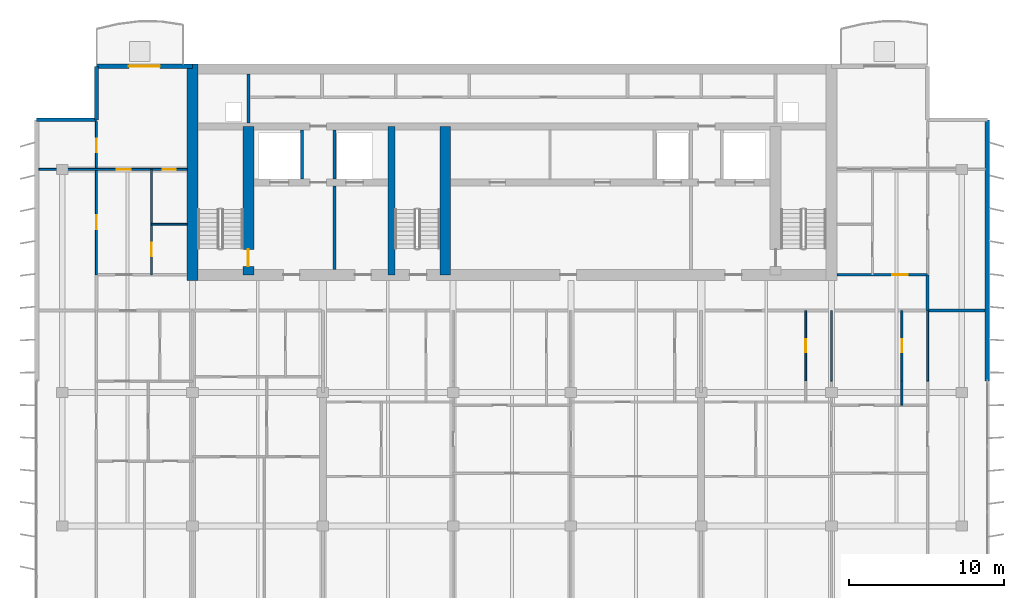
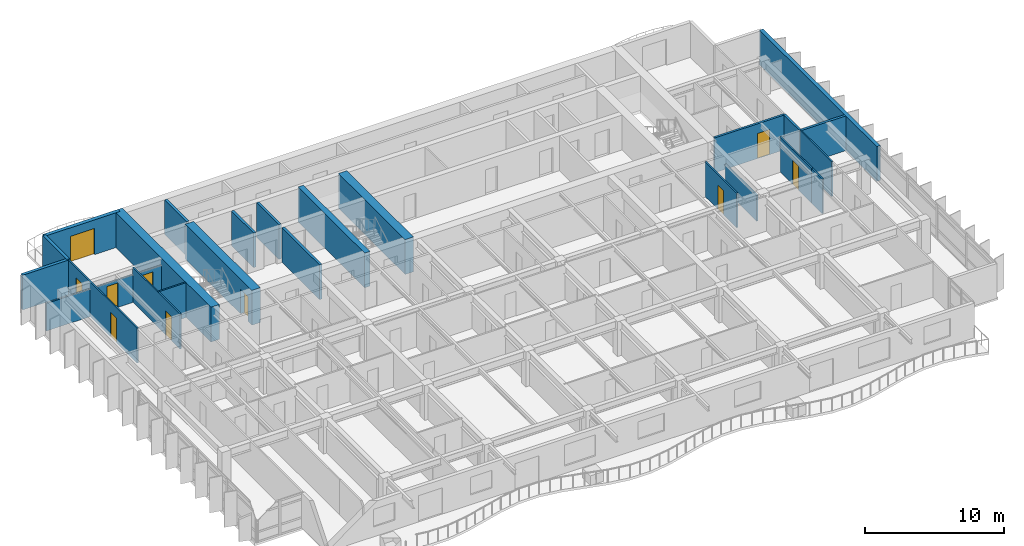
# One storey, part 9 of 16: 24 walls, 10 doors, 10 openings.
"""IFC4 building model written with IfcOpenShell, lengths in metres."""

import ifcopenshell
import ifcopenshell.guid

model = None  # the IFC model being written
_history = None  # IfcOwnerHistory: only IFC2X3 demands one
_inside = {}  # id of a spatial element -> (the spatial element, [elements in it])
_under = {}  # id of a project, library or spatial element -> (it, [spatial elements below it])
_declared = {}  # id of a project -> (the project, [libraries it declares])
_typed = {}  # id of a type object -> (the type object, [elements of that type])
_made_of = {}  # id of a material, layer set ... -> (it, [elements and type objects made of it])


def new_model(schema):
    """Start an empty IFC model of exactly this schema.

    Asked for "IFC4X3", IfcOpenShell would pick the latest addendum, in which some entities
    have other attributes; the version numbers below select the first issue.
    IFC2X3 requires an IfcOwnerHistory on every rooted entity: one is made here for all.
    """
    global model, _history
    if schema == "IFC4X3":
        model = ifcopenshell.file(schema_version=(4, 3, 0, 0))
    else:
        model = ifcopenshell.file(schema=schema)
    _inside.clear()
    _under.clear()
    _declared.clear()
    _typed.clear()
    _made_of.clear()
    _history = None
    if model.schema == "IFC2X3":
        org = make("IfcOrganization", Name="unknown")
        user = make(
            "IfcPersonAndOrganization",
            ThePerson=make("IfcPerson", FamilyName="unknown"),
            TheOrganization=org,
        )
        app = make(
            "IfcApplication",
            ApplicationDeveloper=org,
            Version="unknown",
            ApplicationFullName="unknown",
            ApplicationIdentifier="unknown",
        )
        _history = make(
            "IfcOwnerHistory",
            OwningUser=user,
            OwningApplication=app,
            ChangeAction="ADDED",
            CreationDate=0,
        )
    return model


def make(cls, **values):
    """One entity of the class cls with the attributes given. An attribute that is None is left unset."""
    return model.create_entity(
        cls, **{name: value for name, value in values.items() if value is not None}
    )


def rooted(cls, **values):
    """An entity with a GlobalId (a new one), such as an element, a storey or a relation."""
    return make(cls, GlobalId=ifcopenshell.guid.new(), OwnerHistory=_history, **values)


def si_unit(unit_type, name, prefix=None):
    """IfcSIUnit, for example si_unit("LENGTHUNIT", "METRE", prefix="MILLI")."""
    return make("IfcSIUnit", UnitType=unit_type, Prefix=prefix, Name=name)


def assignment(units):
    """IfcUnitAssignment: the units of a project."""
    return None if units is None else make("IfcUnitAssignment", Units=units)


def point(xyz):
    """IfcCartesianPoint."""
    return None if xyz is None else make("IfcCartesianPoint", Coordinates=xyz)


def direction(xyz):
    """IfcDirection."""
    return None if xyz is None else make("IfcDirection", DirectionRatios=xyz)


def frame(location, z_axis=None, x_axis=None):
    """IfcAxis2Placement3D, a coordinate frame: its origin and axes. An axis left out is left unset."""
    return make(
        "IfcAxis2Placement3D",
        Location=point(location),
        Axis=direction(z_axis),
        RefDirection=direction(x_axis),
    )


def frame_2d(location, x_axis=None):
    """IfcAxis2Placement2D, a coordinate frame in the plane: its origin and x axis."""
    return make(
        "IfcAxis2Placement2D", Location=point(location), RefDirection=direction(x_axis)
    )


def origin():
    """The frame at (0, 0, 0) with its axes left unset."""
    return frame((0.0, 0.0, 0.0))


def place(relative_to, where):
    """IfcLocalPlacement: puts the frame where relative to a parent placement (None: the world)."""
    return make(
        "IfcLocalPlacement", PlacementRelTo=relative_to, RelativePlacement=where
    )


def context(
    kind, dimensions, precision=None, world=None, true_north=None, identifier=None
):
    """IfcGeometricRepresentationContext, for example the 3D "Model" context."""
    return make(
        "IfcGeometricRepresentationContext",
        ContextIdentifier=identifier,
        ContextType=kind,
        CoordinateSpaceDimension=dimensions,
        Precision=precision,
        WorldCoordinateSystem=world,
        TrueNorth=true_north,
    )


def subcontext(parent, identifier, kind, view, scale=None):
    """IfcGeometricRepresentationSubContext, for example "Body" below "Model"."""
    return make(
        "IfcGeometricRepresentationSubContext",
        ContextIdentifier=identifier,
        ContextType=kind,
        ParentContext=parent,
        TargetScale=scale,
        TargetView=view,
    )


def project(units=None, contexts=None):
    """IfcProject with its units and contexts."""
    return rooted(
        "IfcProject",
        Name="project",
        RepresentationContexts=contexts,
        UnitsInContext=assignment(units),
    )


def spatial(cls, under=None, at=None, **own):
    """A site, building, storey or space (cls), placed at a placement, below another one or the project."""
    s = rooted(cls, ObjectPlacement=at, **own)
    if under is not None:
        _under.setdefault(under.id(), (under, []))[1].append(s)
    return s


def profile(cls, at=None, kind="AREA", **sizes):
    """A parametric profile (cls). Its sizes go by their IFC names, for example OverallWidth=200.0."""
    return make(cls, ProfileType=kind, Position=at, **sizes)


def rectangle(**sizes):
    """IfcRectangleProfileDef."""
    return profile("IfcRectangleProfileDef", **sizes)


def extrude(swept, where, along, depth):
    """IfcExtrudedAreaSolid: the profile swept, set in the frame where, extruded along a direction by depth."""
    return make(
        "IfcExtrudedAreaSolid",
        SweptArea=swept,
        Position=where,
        ExtrudedDirection=direction(along),
        Depth=depth,
    )


def shape(context_of_items, identifier, shape_type, items):
    """IfcShapeRepresentation: the items that make up one representation, for example the "Body"."""
    return make(
        "IfcShapeRepresentation",
        ContextOfItems=context_of_items,
        RepresentationIdentifier=identifier,
        RepresentationType=shape_type,
        Items=items,
    )


def material(Name=None, Category=None):
    """IfcMaterial."""
    return make("IfcMaterial", Name=Name, Category=Category)


def layer(
    of_material, thickness, ventilated=None, Name=None, Category=None, Priority=None
):
    """IfcMaterialLayer: one layer of a wall or slab, of a material (None: an air gap)."""
    return make(
        "IfcMaterialLayer",
        Material=of_material,
        LayerThickness=thickness,
        IsVentilated=ventilated,
        Name=Name,
        Category=Category,
        Priority=Priority,
    )


def layer_set(layers, Name=None):
    """IfcMaterialLayerSet."""
    return make("IfcMaterialLayerSet", MaterialLayers=layers, LayerSetName=Name)


def made_of(thing, what):
    """Note that an element or type object is made of a material, layer set ...; save() writes the relation."""
    if what is not None:
        _made_of.setdefault(what.id(), (what, []))[1].append(thing)
    return thing


def type_object(cls, material=None, **own):
    """A type object (cls), such as IfcWallType, which elements share."""
    return made_of(rooted(cls, **own), material)


def element(
    cls,
    number,
    at=None,
    inside=None,
    cuts=None,
    type_object=None,
    material=None,
    context=None,
    identifier="Body",
    shape_type=None,
    held_by="IfcProductDefinitionShape",
    body=None,
    shapes=None,
    **own,
):
    """One element of the class cls, such as IfcWall. Its Tag is "e" and its number.

    at: its placement. inside: the storey or other place that contains it. cuts: it is an
    opening in that element (IfcRelVoidsElement). A single representation is given by context,
    identifier, shape_type and body (its items); several are given by shapes. held_by: the class
    of the entity that holds the representations. save() writes the other relations.
    """
    e = rooted(cls, Tag="e%d" % number, ObjectPlacement=at, **own)
    if body is not None:
        shapes = [shape(context, identifier, shape_type, body)]
    if shapes is not None:
        e.Representation = make(held_by, Representations=shapes)
    if inside is not None:
        _inside.setdefault(inside.id(), (inside, []))[1].append(e)
    if cuts is not None:
        rooted(
            "IfcRelVoidsElement", RelatingBuildingElement=cuts, RelatedOpeningElement=e
        )
    if type_object is not None:
        _typed.setdefault(type_object.id(), (type_object, []))[1].append(e)
    return made_of(e, material)


def fill(opening, filler):
    """IfcRelFillsElement: the door or window that sits in an opening."""
    return rooted(
        "IfcRelFillsElement",
        RelatingOpeningElement=opening,
        RelatedBuildingElement=filler,
    )


def aggregate(whole, parts):
    """IfcRelAggregates: a whole, such as a stair, and the parts it consists of."""
    return rooted("IfcRelAggregates", RelatingObject=whole, RelatedObjects=parts)


def save(model, path):
    """Write the relations noted so far, then the file.

    IfcRelAggregates (storeys below a building ...), IfcRelContainedInSpatialStructure (elements
    in a storey), IfcRelDefinesByType, IfcRelAssociatesMaterial and IfcRelDeclares: one each for
    every whole, place, type object, material and project.
    """
    for whole, parts in _under.values():
        aggregate(whole, parts)
    for where, things in _inside.values():
        rooted(
            "IfcRelContainedInSpatialStructure",
            RelatedElements=things,
            RelatingStructure=where,
        )
    for kind, things in _typed.values():
        rooted("IfcRelDefinesByType", RelatedObjects=things, RelatingType=kind)
    for what, things in _made_of.values():
        rooted("IfcRelAssociatesMaterial", RelatedObjects=things, RelatingMaterial=what)
    for by, libraries in _declared.values():
        rooted("IfcRelDeclares", RelatingContext=by, RelatedDefinitions=libraries)
    model.write(path)


model = new_model("IFC4")

# Units and contexts
model_context = context("Model", 3, precision=1e-05, world=origin(), true_north=direction((0.0, 1.0)))
body_context = subcontext(model_context, "Body", "Model", "MODEL_VIEW")
ifc_project = project(units=[si_unit("LENGTHUNIT", "METRE"), si_unit("AREAUNIT", "SQUARE_METRE"), si_unit("VOLUMEUNIT", "CUBIC_METRE"), si_unit("PLANEANGLEUNIT", "RADIAN"), si_unit("MASSUNIT", "GRAM", prefix="KILO")], contexts=[model_context])

# Site, building, storey
site_placement = place(None, origin())
site = spatial("IfcSite", under=ifc_project, at=site_placement, CompositionType="ELEMENT")
building_placement = place(site_placement, origin())
building = spatial("IfcBuilding", under=site, at=building_placement, Name="Caelmar Bay Residences", CompositionType="ELEMENT")
storey_placement = place(building_placement, frame((0.0, 0.0, 252.89990234375)))
storey = spatial("IfcBuildingStorey", under=building, at=storey_placement, Name="L71", CompositionType="ELEMENT", Elevation=252.89990234375)

# Wall
ifc_material_1 = material(Name="Concrete f'c 55 MPa (8,000 psi)", Category="concrete")
ifc_layer_1 = layer(ifc_material_1, 0.699951171875)
ifc_layer_set_1 = layer_set([ifc_layer_1], Name="Concrete f'c 55 MPa (8,000 psi)")
wall_type_1 = type_object("IfcWallType", Name="SW-COR-700", PredefinedType="SHEAR", material=ifc_layer_set_1)
wall_1_placement = place(storey_placement, frame((18.300048828125, 36.64990234375, 0.0), z_axis=(0.0, 0.0, 1.0), x_axis=(0.0, 1.0, 0.0)))
element("IfcWall", 1, at=wall_1_placement, inside=storey, type_object=wall_type_1, Name="L71 Rear Core West Shear Wall", PredefinedType="SHEAR", context=body_context, shape_type="SweptSolid", body=[
    extrude(rectangle(XDim=13.9501953125, YDim=0.699951171875, at=frame_2d((6.97509765625, 0.0))), origin(), (0.0, 0.0, 1.0), 3.050048828125),
])

# Wall, opening, door
wall_2_placement = place(storey_placement, frame((21.89990234375, 37.0, 0.0), z_axis=(0.0, 0.0, 1.0), x_axis=(0.0, 1.0, 0.0)))
wall_2 = element("IfcWall", 2, at=wall_2_placement, inside=storey, type_object=wall_type_1, Name="L71 Core Structural Web Wall ST1E", PredefinedType="SHEAR", context=body_context, shape_type="SweptSolid", body=[
    extrude(rectangle(XDim=9.574951171875, YDim=0.699951171875, at=frame_2d((4.78759765625, 0.0))), origin(), (0.0, 0.0, 1.0), 3.050048828125),
])
opening_1_placement = place(wall_2_placement, frame((0.550048828125, 0.0, 0.0)))
opening_1 = element("IfcOpeningElement", 3, at=opening_1_placement, cuts=wall_2, Name="Opening D-L71-107", PredefinedType="OPENING", context=body_context, shape_type="SweptSolid", body=[
    extrude(rectangle(XDim=1.10009765625, YDim=2.14990234375, at=frame_2d((0.550048828125, 1.074951171875))), frame((0.0, 0.35986328125, 0.0), z_axis=(0.0, -1.0, 0.0), x_axis=(1.0, 0.0, 0.0)), (0.0, 0.0, 1.0), 0.719970703125),
])
ifc_material_2 = material(Name="Fire-rated steel and walnut architectural door assembly", Category="steel")
ifc_layer_2 = layer(ifc_material_2, 0.050048828125)
ifc_layer_set_2 = layer_set([ifc_layer_2], Name="Fire-rated steel and walnut architectural door assembly")
door_type_1 = type_object("IfcDoorType", Name="D-STAIR-1100", OperationType="NOTDEFINED", PredefinedType="DOOR", material=ifc_layer_set_2)
door_1_placement = place(opening_1_placement, origin())
door_1 = element("IfcDoor", 4, at=door_1_placement, inside=storey, type_object=door_type_1, Name="L71 Firefighting Lobby West Door", OperationType="SINGLE_SWING_RIGHT", OverallHeight=2.14990234375, OverallWidth=1.10009765625, PredefinedType="DOOR", context=body_context, shape_type="SweptSolid", body=[
    extrude(rectangle(XDim=1.10009765625, YDim=2.14990234375, at=frame_2d((0.550048828125, 1.074951171875))), frame((0.0, 0.02490234375, 0.0), z_axis=(0.0, -1.0, 0.0), x_axis=(1.0, 0.0, 0.0)), (0.0, 0.0, 1.0), 0.050048828125),
])
fill(opening_1, door_1)

# Walls
wall_3_placement = place(storey_placement, frame((34.60009765625, 37.0, 0.0), z_axis=(0.0, 0.0, 1.0), x_axis=(0.0, 1.0, 0.0)))
element("IfcWall", 5, at=wall_3_placement, inside=storey, type_object=wall_type_1, Name="L71 Core Structural Web Wall ST3E", PredefinedType="SHEAR", context=body_context, shape_type="SweptSolid", body=[
    extrude(rectangle(XDim=9.574951171875, YDim=0.699951171875, at=frame_2d((4.78759765625, 0.0))), origin(), (0.0, 0.0, 1.0), 3.050048828125),
])
ifc_material_3 = material(Name="Concrete f'c 70 MPa (10,000 psi)", Category="concrete")
ifc_layer_3 = layer(ifc_material_3, 0.449951171875)
ifc_layer_set_3 = layer_set([ifc_layer_3], Name="Concrete f'c 70 MPa (10,000 psi)")
wall_type_2 = type_object("IfcWallType", Name="SW-WEB-450", PredefinedType="SHEAR", material=ifc_layer_set_3)
wall_4_placement = place(storey_placement, frame((31.125, 37.0, 0.0), z_axis=(0.0, 0.0, 1.0), x_axis=(0.0, 1.0, 0.0)))
element("IfcWall", 6, at=wall_4_placement, inside=storey, type_object=wall_type_2, Name="L71 Core Structural Web Wall ST3W", PredefinedType="SHEAR", context=body_context, shape_type="SweptSolid", body=[
    extrude(rectangle(XDim=9.574951171875, YDim=0.449951171875, at=frame_2d((4.78759765625, 0.0))), origin(), (0.0, 0.0, 1.0), 3.050048828125),
])
ifc_material_4 = material(Name="Double-stud acoustic fire-rated gypsum partition 180 mm")
ifc_layer_4 = layer(ifc_material_4, 0.179931640625)
ifc_layer_set_4 = layer_set([ifc_layer_4], Name="Double-stud acoustic fire-rated gypsum partition 180 mm")
wall_type_3 = type_object("IfcWallType", Name="W-COR-200", PredefinedType="PARTITIONING", material=ifc_layer_set_4)
wall_5_placement = place(storey_placement, frame((65.699951171875, 34.705078125, 0.0), z_axis=(0.0, 0.0, 1.0), x_axis=(0.0, 1.0, 0.0)))
element("IfcWall", 7, at=wall_5_placement, inside=storey, type_object=wall_type_3, Name="L71 Partition Wall V065", PredefinedType="PARTITIONING", context=body_context, shape_type="SweptSolid", body=[
    extrude(rectangle(XDim=2.294921875, YDim=0.179931640625, at=frame_2d((1.1474609375, 0.0))), origin(), (0.0, 0.0, 1.0), 3.050048828125),
])

# Wall, opening, door
wall_6_placement = place(storey_placement, frame((59.85498046875, 37.0, 0.0), z_axis=(0.0, 0.0, 1.0), x_axis=(1.0, 0.0, 0.0)))
wall_6 = element("IfcWall", 8, at=wall_6_placement, inside=storey, type_object=wall_type_3, Name="L71 Partition Wall H089", PredefinedType="PARTITIONING", context=body_context, shape_type="SweptSolid", body=[
    extrude(rectangle(XDim=5.844970703125, YDim=0.179931640625, at=frame_2d((2.92236328125, 0.0))), origin(), (0.0, 0.0, 1.0), 3.050048828125),
])
opening_2_placement = place(wall_6_placement, frame((3.570068359375, 0.0, 0.0)))
opening_2 = element("IfcOpeningElement", 9, at=opening_2_placement, cuts=wall_6, Name="Opening D-L71-170", PredefinedType="OPENING", context=body_context, shape_type="SweptSolid", body=[
    extrude(rectangle(XDim=1.0, YDim=2.199951171875, at=frame_2d((0.5, 1.10009765625))), frame((0.0, 0.099853515625, 0.0), z_axis=(0.0, -1.0, 0.0), x_axis=(1.0, 0.0, 0.0)), (0.0, 0.0, 1.0), 0.199951171875),
])
ifc_layer_5 = layer(ifc_material_2, 0.050048828125)
ifc_layer_set_5 = layer_set([ifc_layer_5], Name="Fire-rated steel and walnut architectural door assembly")
door_type_2 = type_object("IfcDoorType", Name="D-UNIT-1000", OperationType="NOTDEFINED", PredefinedType="DOOR", material=ifc_layer_set_5)
door_2_placement = place(opening_2_placement, origin())
door_2 = element("IfcDoor", 10, at=door_2_placement, inside=storey, type_object=door_type_2, Name="L71 Residence EA Kitchen Door", OperationType="SINGLE_SWING_LEFT", OverallHeight=2.199951171875, OverallWidth=1.0, PredefinedType="DOOR", context=body_context, shape_type="SweptSolid", body=[
    extrude(rectangle(XDim=1.0, YDim=2.199951171875, at=frame_2d((0.5, 1.10009765625))), frame((0.0, 0.02490234375, 0.0), z_axis=(0.0, -1.0, 0.0), x_axis=(1.0, 0.0, 0.0)), (0.0, 0.0, 1.0), 0.050048828125),
])
fill(opening_2, door_2)

# Walls
ifc_material_5 = material(Name="Precast concrete f'c 40 MPa (6,000 psi)", Category="concrete")
ifc_layer_6 = layer(ifc_material_5, 0.25)
ifc_layer_set_6 = layer_set([ifc_layer_6], Name="Precast concrete f'c 40 MPa (6,000 psi)")
wall_type_4 = type_object("IfcWallType", Name="W-EXT-250", PredefinedType="ELEMENTEDWALL", material=ifc_layer_set_6)
wall_7_placement = place(storey_placement, frame((8.25, 47.0, 0.0), z_axis=(0.0, 0.0, 1.0), x_axis=(1.0, 0.0, 0.0)))
element("IfcWall", 11, at=wall_7_placement, inside=storey, type_object=wall_type_4, Name="L71 NNW-H Notch Wall", PredefinedType="ELEMENTEDWALL", context=body_context, shape_type="SweptSolid", body=[
    extrude(rectangle(XDim=3.85009765625, YDim=0.25, at=frame_2d((1.925048828125, 0.0))), origin(), (0.0, 0.0, 1.0), 3.050048828125),
])
wall_8_placement = place(storey_placement, frame((12.10009765625, 47.0, 0.0), z_axis=(0.0, 0.0, 1.0), x_axis=(0.0, 1.0, 0.0)))
element("IfcWall", 12, at=wall_8_placement, inside=storey, type_object=wall_type_4, Name="L71 NNW-V Notch Wall", PredefinedType="ELEMENTEDWALL", context=body_context, shape_type="SweptSolid", body=[
    extrude(rectangle(XDim=3.449951171875, YDim=0.25, at=frame_2d((1.72509765625, 0.0))), origin(), (0.0, 0.0, 1.0), 3.050048828125),
])
ifc_layer_7 = layer(ifc_material_5, 0.300048828125)
ifc_layer_set_7 = layer_set([ifc_layer_7], Name="Precast concrete f'c 40 MPa (6,000 psi)")
wall_type_5 = type_object("IfcWallType", Name="W-EXT-300", PredefinedType="STANDARD", material=ifc_layer_set_7)
wall_9_placement = place(storey_placement, frame((69.550048828125, 47.0, 0.0), z_axis=(0.0, 0.0, 1.0), x_axis=(0.0, -1.0, 0.0)))
element("IfcWall", 13, at=wall_9_placement, inside=storey, type_object=wall_type_5, Name="L71 East Rear Exterior Wall", PredefinedType="STANDARD", context=body_context, shape_type="SweptSolid", body=[
    extrude(rectangle(XDim=16.85009765625, YDim=0.300048828125, at=frame_2d((8.425048828125, 0.0))), origin(), (0.0, 0.0, 1.0), 3.050048828125),
])

# Wall, opening, door
wall_10_placement = place(storey_placement, frame((12.10009765625, 50.449951171875, 0.0), z_axis=(0.0, 0.0, 1.0), x_axis=(1.0, 0.0, 0.0)))
wall_10 = element("IfcWall", 14, at=wall_10_placement, inside=storey, type_object=wall_type_5, Name="L71 North-West Wing Exterior Wall", PredefinedType="STANDARD", context=body_context, shape_type="SweptSolid", body=[
    extrude(rectangle(XDim=6.199951171875, YDim=0.300048828125, at=frame_2d((3.10009765625, 0.0))), origin(), (0.0, 0.0, 1.0), 3.050048828125),
])
opening_3_placement = place(wall_10_placement, frame((2.10009765625, 0.0, 0.0)))
opening_3 = element("IfcOpeningElement", 15, at=opening_3_placement, cuts=wall_10, Name="Opening L71-BDNW", PredefinedType="OPENING", context=body_context, shape_type="SweptSolid", body=[
    extrude(rectangle(XDim=2.0, YDim=2.300048828125, at=frame_2d((1.0, 1.14990234375))), frame((0.0, 0.159912109375, 0.0), z_axis=(0.0, -1.0, 0.0), x_axis=(1.0, 0.0, 0.0)), (0.0, 0.0, 1.0), 0.320068359375),
])
ifc_material_6 = material(Name="Anodised bronze thermally broken sliding glass door", Category="glass")
ifc_layer_8 = layer(ifc_material_6, 0.050048828125)
ifc_layer_set_8 = layer_set([ifc_layer_8], Name="Anodised bronze thermally broken sliding glass door")
door_type_3 = type_object("IfcDoorType", Name="D-BAL-2000", OperationType="DOUBLE_DOOR_SLIDING", PredefinedType="DOOR", material=ifc_layer_set_8)
door_3_placement = place(opening_3_placement, origin())
door_3 = element("IfcDoor", 16, at=door_3_placement, inside=storey, type_object=door_type_3, Name="L71 North-West Balcony Door", OperationType="DOUBLE_DOOR_SLIDING", OverallHeight=2.300048828125, OverallWidth=2.0, PredefinedType="DOOR", context=body_context, shape_type="SweptSolid", body=[
    extrude(rectangle(XDim=2.0, YDim=2.300048828125, at=frame_2d((1.0, 1.14990234375))), frame((0.0, 0.02490234375, 0.0), z_axis=(0.0, -1.0, 0.0), x_axis=(1.0, 0.0, 0.0)), (0.0, 0.0, 1.0), 0.050048828125),
])
fill(opening_3, door_3)

# Walls
ifc_material_7 = material(Name="Fire-rated masonry and gypsum shaftliner assembly 200 mm", Category="masonry")
ifc_layer_9 = layer(ifc_material_7, 0.199951171875)
ifc_layer_set_9 = layer_set([ifc_layer_9], Name="Fire-rated masonry and gypsum shaftliner assembly 200 mm")
wall_type_6 = type_object("IfcWallType", Name="W-FSAE-200", PredefinedType="PARTITIONING", material=ifc_layer_set_9)
wall_11_placement = place(storey_placement, frame((21.89990234375, 46.794921875, 0.0), z_axis=(0.0, 0.0, 1.0), x_axis=(0.0, 1.0, 0.0)))
element("IfcWall", 17, at=wall_11_placement, inside=storey, type_object=wall_type_6, Name="L71 Partition Wall V013", PredefinedType="PARTITIONING", context=body_context, shape_type="SweptSolid", body=[
    extrude(rectangle(XDim=3.16015625, YDim=0.199951171875, at=frame_2d((1.580078125, 0.0))), origin(), (0.0, 0.0, 1.0), 3.050048828125),
])
wall_12_placement = place(storey_placement, frame((25.35009765625, 43.169921875, 0.0), z_axis=(0.0, 0.0, 1.0), x_axis=(0.0, 1.0, 0.0)))
element("IfcWall", 18, at=wall_12_placement, inside=storey, type_object=wall_type_6, Name="L71 Partition Wall V019", PredefinedType="PARTITIONING", context=body_context, shape_type="SweptSolid", body=[
    extrude(rectangle(XDim=3.18505859375, YDim=0.199951171875, at=frame_2d((1.592529296875, 0.0))), origin(), (0.0, 0.0, 1.0), 3.050048828125),
])
wall_13_placement = place(storey_placement, frame((27.449951171875, 37.344970703125, 0.0), z_axis=(0.0, 0.0, 1.0), x_axis=(0.0, 1.0, 0.0)))
element("IfcWall", 19, at=wall_13_placement, inside=storey, type_object=wall_type_6, Name="L71 Partition Wall V025", PredefinedType="PARTITIONING", context=body_context, shape_type="SweptSolid", body=[
    extrude(rectangle(XDim=5.385009765625, YDim=0.199951171875, at=frame_2d((2.6923828125, 0.0))), origin(), (0.0, 0.0, 1.0), 3.050048828125),
])
wall_14_placement = place(storey_placement, frame((27.449951171875, 43.169921875, 0.0), z_axis=(0.0, 0.0, 1.0), x_axis=(0.0, 1.0, 0.0)))
element("IfcWall", 20, at=wall_14_placement, inside=storey, type_object=wall_type_6, Name="L71 Partition Wall V026", PredefinedType="PARTITIONING", context=body_context, shape_type="SweptSolid", body=[
    extrude(rectangle(XDim=3.18505859375, YDim=0.199951171875, at=frame_2d((1.592529296875, 0.0))), origin(), (0.0, 0.0, 1.0), 3.050048828125),
])

# Wall, openings, doors
ifc_material_8 = material(Name="Acoustic metal-stud gypsum partition 120 mm")
ifc_layer_10 = layer(ifc_material_8, 0.1201171875)
ifc_layer_set_10 = layer_set([ifc_layer_10], Name="Acoustic metal-stud gypsum partition 120 mm")
wall_type_7 = type_object("IfcWallType", Name="W-PRT-120", PredefinedType="PARTITIONING", material=ifc_layer_set_10)
wall_15_placement = place(storey_placement, frame((12.10009765625, 37.0048828125, 0.0), z_axis=(0.0, 0.0, 1.0), x_axis=(0.0, 1.0, 0.0)))
wall_15 = element("IfcWall", 21, at=wall_15_placement, inside=storey, type_object=wall_type_7, Name="L71 Partition Wall V004", PredefinedType="PARTITIONING", context=body_context, shape_type="SweptSolid", body=[
    extrude(rectangle(XDim=9.875, YDim=0.1201171875, at=frame_2d((4.9375, 0.0))), origin(), (0.0, 0.0, 1.0), 3.050048828125),
])
opening_4_placement = place(wall_15_placement, frame((2.947509765625, 0.0, 0.0)))
opening_4 = element("IfcOpeningElement", 22, at=opening_4_placement, cuts=wall_15, Name="Opening D-L71-168", PredefinedType="OPENING", context=body_context, shape_type="SweptSolid", body=[
    extrude(rectangle(XDim=0.89990234375, YDim=2.14990234375, at=frame_2d((0.449951171875, 1.074951171875))), frame((0.0, 0.070068359375, 0.0), z_axis=(0.0, -1.0, 0.0), x_axis=(1.0, 0.0, 0.0)), (0.0, 0.0, 1.0), 0.14013671875),
])
opening_5_placement = place(wall_15_placement, frame((7.885009765625, 0.0, 0.0)))
opening_5 = element("IfcOpeningElement", 23, at=opening_5_placement, cuts=wall_15, Name="Opening D-L71-169", PredefinedType="OPENING", context=body_context, shape_type="SweptSolid", body=[
    extrude(rectangle(XDim=0.89990234375, YDim=2.14990234375, at=frame_2d((0.449951171875, 1.074951171875))), frame((0.0, 0.070068359375, 0.0), z_axis=(0.0, -1.0, 0.0), x_axis=(1.0, 0.0, 0.0)), (0.0, 0.0, 1.0), 0.14013671875),
])
ifc_material_9 = material(Name="Solid walnut timber interior door leaf and frame", Category="wood")
ifc_layer_11 = layer(ifc_material_9, 0.050048828125)
ifc_layer_set_11 = layer_set([ifc_layer_11], Name="Solid walnut timber interior door leaf and frame")
door_type_4 = type_object("IfcDoorType", Name="D-ROOM-900", OperationType="NOTDEFINED", PredefinedType="DOOR", material=ifc_layer_set_11)
door_4_placement = place(opening_4_placement, origin())
door_4 = element("IfcDoor", 24, at=door_4_placement, inside=storey, type_object=door_type_4, Name="L71 Residence WA Sun Study Door", OperationType="SINGLE_SWING_LEFT", OverallHeight=2.14990234375, OverallWidth=0.89990234375, PredefinedType="DOOR", context=body_context, shape_type="SweptSolid", body=[
    extrude(rectangle(XDim=0.89990234375, YDim=2.14990234375, at=frame_2d((0.449951171875, 1.074951171875))), frame((0.0, 0.02490234375, 0.0), z_axis=(0.0, -1.0, 0.0), x_axis=(1.0, 0.0, 0.0)), (0.0, 0.0, 1.0), 0.050048828125),
])
fill(opening_4, door_4)
door_5_placement = place(opening_5_placement, origin())
door_5 = element("IfcDoor", 25, at=door_5_placement, inside=storey, type_object=door_type_4, Name="L71 Residence WA North Sitting Alcove Door", OperationType="SINGLE_SWING_RIGHT", OverallHeight=2.14990234375, OverallWidth=0.89990234375, PredefinedType="DOOR", context=body_context, shape_type="SweptSolid", body=[
    extrude(rectangle(XDim=0.89990234375, YDim=2.14990234375, at=frame_2d((0.449951171875, 1.074951171875))), frame((0.0, 0.02490234375, 0.0), z_axis=(0.0, -1.0, 0.0), x_axis=(1.0, 0.0, 0.0)), (0.0, 0.0, 1.0), 0.050048828125),
])
fill(opening_5, door_5)

# Wall, opening, door
wall_16_placement = place(storey_placement, frame((15.64990234375, 37.0, 0.0), z_axis=(0.0, 0.0, 1.0), x_axis=(0.0, 1.0, 0.0)))
wall_16 = element("IfcWall", 26, at=wall_16_placement, inside=storey, type_object=wall_type_7, Name="L71 Partition Wall V008", PredefinedType="PARTITIONING", context=body_context, shape_type="SweptSolid", body=[
    extrude(rectangle(XDim=6.800048828125, YDim=0.1201171875, at=frame_2d((3.39990234375, 0.0))), origin(), (0.0, 0.0, 1.0), 3.050048828125),
])
opening_6_placement = place(wall_16_placement, frame((1.20703125, 0.0, 0.0)))
opening_6 = element("IfcOpeningElement", 27, at=opening_6_placement, cuts=wall_16, Name="Opening D-L71-166", PredefinedType="OPENING", context=body_context, shape_type="SweptSolid", body=[
    extrude(rectangle(XDim=0.85009765625, YDim=2.10009765625, at=frame_2d((0.425048828125, 1.050048828125))), frame((0.0, 0.070068359375, 0.0), z_axis=(0.0, -1.0, 0.0), x_axis=(1.0, 0.0, 0.0)), (0.0, 0.0, 1.0), 0.14013671875),
])
ifc_layer_12 = layer(ifc_material_9, 0.050048828125)
ifc_layer_set_12 = layer_set([ifc_layer_12], Name="Solid walnut timber interior door leaf and frame")
door_type_5 = type_object("IfcDoorType", Name="D-BATH-850", OperationType="NOTDEFINED", PredefinedType="DOOR", material=ifc_layer_set_12)
door_6_placement = place(opening_6_placement, origin())
door_6 = element("IfcDoor", 28, at=door_6_placement, inside=storey, type_object=door_type_5, Name="L71 Residence WA Walk-In Closet Door", OperationType="SINGLE_SWING_LEFT", OverallHeight=2.10009765625, OverallWidth=0.85009765625, PredefinedType="DOOR", context=body_context, shape_type="SweptSolid", body=[
    extrude(rectangle(XDim=0.85009765625, YDim=2.10009765625, at=frame_2d((0.425048828125, 1.050048828125))), frame((0.0, 0.02490234375, 0.0), z_axis=(0.0, -1.0, 0.0), x_axis=(1.0, 0.0, 0.0)), (0.0, 0.0, 1.0), 0.050048828125),
])
fill(opening_6, door_6)

wall_17_placement = place(storey_placement, frame((57.839111328125, 30.14990234375, 0.0), z_axis=(0.0, 0.0, 1.0), x_axis=(0.0, 1.0, 0.0)))
wall_17 = element("IfcWall", 29, at=wall_17_placement, inside=storey, type_object=wall_type_7, Name="L71 Partition Wall V056", PredefinedType="PARTITIONING", context=body_context, shape_type="SweptSolid", body=[
    extrude(rectangle(XDim=4.550048828125, YDim=0.1201171875, at=frame_2d((2.27490234375, 0.0))), origin(), (0.0, 0.0, 1.0), 3.050048828125),
])
opening_7_placement = place(wall_17_placement, frame((1.85009765625, 0.0, 0.0)))
opening_7 = element("IfcOpeningElement", 30, at=opening_7_placement, cuts=wall_17, Name="Opening D-L71-153", PredefinedType="OPENING", context=body_context, shape_type="SweptSolid", body=[
    extrude(rectangle(XDim=0.85009765625, YDim=2.10009765625, at=frame_2d((0.425048828125, 1.050048828125))), frame((0.0, 0.070068359375, 0.0), z_axis=(0.0, -1.0, 0.0), x_axis=(1.0, 0.0, 0.0)), (0.0, 0.0, 1.0), 0.14013671875),
])
door_7_placement = place(opening_7_placement, origin())
door_7 = element("IfcDoor", 31, at=door_7_placement, inside=storey, type_object=door_type_5, Name="L71 Residence 04 Guest Bathroom Door", OperationType="SINGLE_SWING_RIGHT", OverallHeight=2.10009765625, OverallWidth=0.85009765625, PredefinedType="DOOR", context=body_context, shape_type="SweptSolid", body=[
    extrude(rectangle(XDim=0.85009765625, YDim=2.10009765625, at=frame_2d((0.425048828125, 1.050048828125))), frame((0.0, 0.02490234375, 0.0), z_axis=(0.0, -1.0, 0.0), x_axis=(1.0, 0.0, 0.0)), (0.0, 0.0, 1.0), 0.050048828125),
])
fill(opening_7, door_7)

# Walls
wall_18_placement = place(storey_placement, frame((59.5, 30.14990234375, 0.0), z_axis=(0.0, 0.0, 1.0), x_axis=(0.0, 1.0, 0.0)))
element("IfcWall", 32, at=wall_18_placement, inside=storey, type_object=wall_type_7, Name="L71 Partition Wall V059", PredefinedType="PARTITIONING", context=body_context, shape_type="SweptSolid", body=[
    extrude(rectangle(XDim=4.550048828125, YDim=0.1201171875, at=frame_2d((2.27490234375, 0.0))), origin(), (0.0, 0.0, 1.0), 2.26318359375),
])
wall_19_placement = place(storey_placement, frame((64.0439453125, 28.60009765625, 0.0), z_axis=(0.0, 0.0, 1.0), x_axis=(0.0, 1.0, 0.0)))
element("IfcWall", 33, at=wall_19_placement, inside=storey, type_object=wall_type_7, Name="L71 Partition Wall V061", PredefinedType="PARTITIONING", context=body_context, shape_type="SweptSolid", body=[
    extrude(rectangle(XDim=1.539794921875, YDim=0.1201171875, at=frame_2d((0.77001953125, 0.0))), origin(), (0.0, 0.0, 1.0), 3.050048828125),
])

# Wall, opening, door
wall_20_placement = place(storey_placement, frame((64.0439453125, 30.14990234375, 0.0), z_axis=(0.0, 0.0, 1.0), x_axis=(0.0, 1.0, 0.0)))
wall_20 = element("IfcWall", 34, at=wall_20_placement, inside=storey, type_object=wall_type_7, Name="L71 Partition Wall V062", PredefinedType="PARTITIONING", context=body_context, shape_type="SweptSolid", body=[
    extrude(rectangle(XDim=4.550048828125, YDim=0.1201171875, at=frame_2d((2.27490234375, 0.0))), origin(), (0.0, 0.0, 1.0), 3.050048828125),
])
opening_8_placement = place(wall_20_placement, frame((1.85009765625, 0.0, 0.0)))
opening_8 = element("IfcOpeningElement", 35, at=opening_8_placement, cuts=wall_20, Name="Opening D-L71-159", PredefinedType="OPENING", context=body_context, shape_type="SweptSolid", body=[
    extrude(rectangle(XDim=0.85009765625, YDim=2.10009765625, at=frame_2d((0.425048828125, 1.050048828125))), frame((0.0, 0.070068359375, 0.0), z_axis=(0.0, -1.0, 0.0), x_axis=(1.0, 0.0, 0.0)), (0.0, 0.0, 1.0), 0.14013671875),
])
door_8_placement = place(opening_8_placement, origin())
door_8 = element("IfcDoor", 36, at=door_8_placement, inside=storey, type_object=door_type_5, Name="L71 Residence 04 En-Suite Bathroom 1 Door", OperationType="SINGLE_SWING_RIGHT", OverallHeight=2.10009765625, OverallWidth=0.85009765625, PredefinedType="DOOR", context=body_context, shape_type="SweptSolid", body=[
    extrude(rectangle(XDim=0.85009765625, YDim=2.10009765625, at=frame_2d((0.425048828125, 1.050048828125))), frame((0.0, 0.02490234375, 0.0), z_axis=(0.0, -1.0, 0.0), x_axis=(1.0, 0.0, 0.0)), (0.0, 0.0, 1.0), 0.050048828125),
])
fill(opening_8, door_8)

# Walls
wall_21_placement = place(storey_placement, frame((65.699951171875, 30.14990234375, 0.0), z_axis=(0.0, 0.0, 1.0), x_axis=(0.0, 1.0, 0.0)))
element("IfcWall", 37, at=wall_21_placement, inside=storey, type_object=wall_type_7, Name="L71 Partition Wall V064", PredefinedType="PARTITIONING", context=body_context, shape_type="SweptSolid", body=[
    extrude(rectangle(XDim=4.550048828125, YDim=0.1201171875, at=frame_2d((2.27490234375, 0.0))), origin(), (0.0, 0.0, 1.0), 3.050048828125),
])
wall_22_placement = place(storey_placement, frame((15.64990234375, 40.263916015625, 0.0), z_axis=(0.0, 0.0, 1.0), x_axis=(1.0, 0.0, 0.0)))
element("IfcWall", 38, at=wall_22_placement, inside=storey, type_object=wall_type_7, Name="L71 Partition Wall H090", PredefinedType="PARTITIONING", context=body_context, shape_type="SweptSolid", body=[
    extrude(rectangle(XDim=2.30517578125, YDim=0.1201171875, at=frame_2d((1.152587890625, 0.0))), origin(), (0.0, 0.0, 1.0), 3.050048828125),
])

# Wall, openings, doors
wall_23_placement = place(storey_placement, frame((8.39501953125, 43.800048828125, 0.0), z_axis=(0.0, 0.0, 1.0), x_axis=(1.0, 0.0, 0.0)))
wall_23 = element("IfcWall", 39, at=wall_23_placement, inside=storey, type_object=wall_type_7, Name="L71 Partition Wall H092", PredefinedType="PARTITIONING", context=body_context, shape_type="SweptSolid", body=[
    extrude(rectangle(XDim=9.56005859375, YDim=0.1201171875, at=frame_2d((4.780029296875, 0.0))), origin(), (0.0, 0.0, 1.0), 2.418212890625),
])
opening_9_placement = place(wall_23_placement, frame((5.030029296875, 0.0, 0.0)))
opening_9 = element("IfcOpeningElement", 40, at=opening_9_placement, cuts=wall_23, Name="Opening D-L71-165", PredefinedType="OPENING", context=body_context, shape_type="SweptSolid", body=[
    extrude(rectangle(XDim=0.89990234375, YDim=2.14990234375, at=frame_2d((0.449951171875, 1.074951171875))), frame((0.0, 0.070068359375, 0.0), z_axis=(0.0, -1.0, 0.0), x_axis=(1.0, 0.0, 0.0)), (0.0, 0.0, 1.0), 0.14013671875),
])
opening_10_placement = place(wall_23_placement, frame((7.982421875, 0.0, 0.0)))
opening_10 = element("IfcOpeningElement", 41, at=opening_10_placement, cuts=wall_23, Name="Opening D-L71-167", PredefinedType="OPENING", context=body_context, shape_type="SweptSolid", body=[
    extrude(rectangle(XDim=0.85009765625, YDim=2.10009765625, at=frame_2d((0.425048828125, 1.050048828125))), frame((0.0, 0.070068359375, 0.0), z_axis=(0.0, -1.0, 0.0), x_axis=(1.0, 0.0, 0.0)), (0.0, 0.0, 1.0), 0.14013671875),
])
door_9_placement = place(opening_10_placement, origin())
door_9 = element("IfcDoor", 42, at=door_9_placement, inside=storey, type_object=door_type_5, Name="L71 Residence WA Bathroom Door", OperationType="SINGLE_SWING_RIGHT", OverallHeight=2.10009765625, OverallWidth=0.85009765625, PredefinedType="DOOR", context=body_context, shape_type="SweptSolid", body=[
    extrude(rectangle(XDim=0.85009765625, YDim=2.10009765625, at=frame_2d((0.425048828125, 1.050048828125))), frame((0.0, 0.02490234375, 0.0), z_axis=(0.0, -1.0, 0.0), x_axis=(1.0, 0.0, 0.0)), (0.0, 0.0, 1.0), 0.050048828125),
])
fill(opening_10, door_9)
door_10_placement = place(opening_9_placement, origin())
door_10 = element("IfcDoor", 43, at=door_10_placement, inside=storey, type_object=door_type_4, Name="L71 Residence WA Studio Living and Sleeping Room Door", OperationType="SINGLE_SWING_RIGHT", OverallHeight=2.14990234375, OverallWidth=0.89990234375, PredefinedType="DOOR", context=body_context, shape_type="SweptSolid", body=[
    extrude(rectangle(XDim=0.89990234375, YDim=2.14990234375, at=frame_2d((0.449951171875, 1.074951171875))), frame((0.0, 0.02490234375, 0.0), z_axis=(0.0, -1.0, 0.0), x_axis=(1.0, 0.0, 0.0)), (0.0, 0.0, 1.0), 0.050048828125),
])
fill(opening_9, door_10)

# Wall
ifc_material_10 = material(Name="Acoustic twin-stud fire-rated inter-tenancy partition 200 mm")
ifc_layer_13 = layer(ifc_material_10, 0.199951171875)
ifc_layer_set_13 = layer_set([ifc_layer_13], Name="Acoustic twin-stud fire-rated inter-tenancy partition 200 mm")
wall_type_8 = type_object("IfcWallType", Name="W-PTY-200", PredefinedType="PARTITIONING", material=ifc_layer_set_13)
wall_24_placement = place(storey_placement, frame((65.705078125, 34.699951171875, 0.0), z_axis=(0.0, 0.0, 1.0), x_axis=(1.0, 0.0, 0.0)))
element("IfcWall", 44, at=wall_24_placement, inside=storey, type_object=wall_type_8, Name="L71 Partition Wall H087", PredefinedType="PARTITIONING", context=body_context, shape_type="SweptSolid", body=[
    extrude(rectangle(XDim=3.699951171875, YDim=0.199951171875, at=frame_2d((1.85009765625, 0.0))), origin(), (0.0, 0.0, 1.0), 3.050048828125),
])

save(model, "model.ifc")
